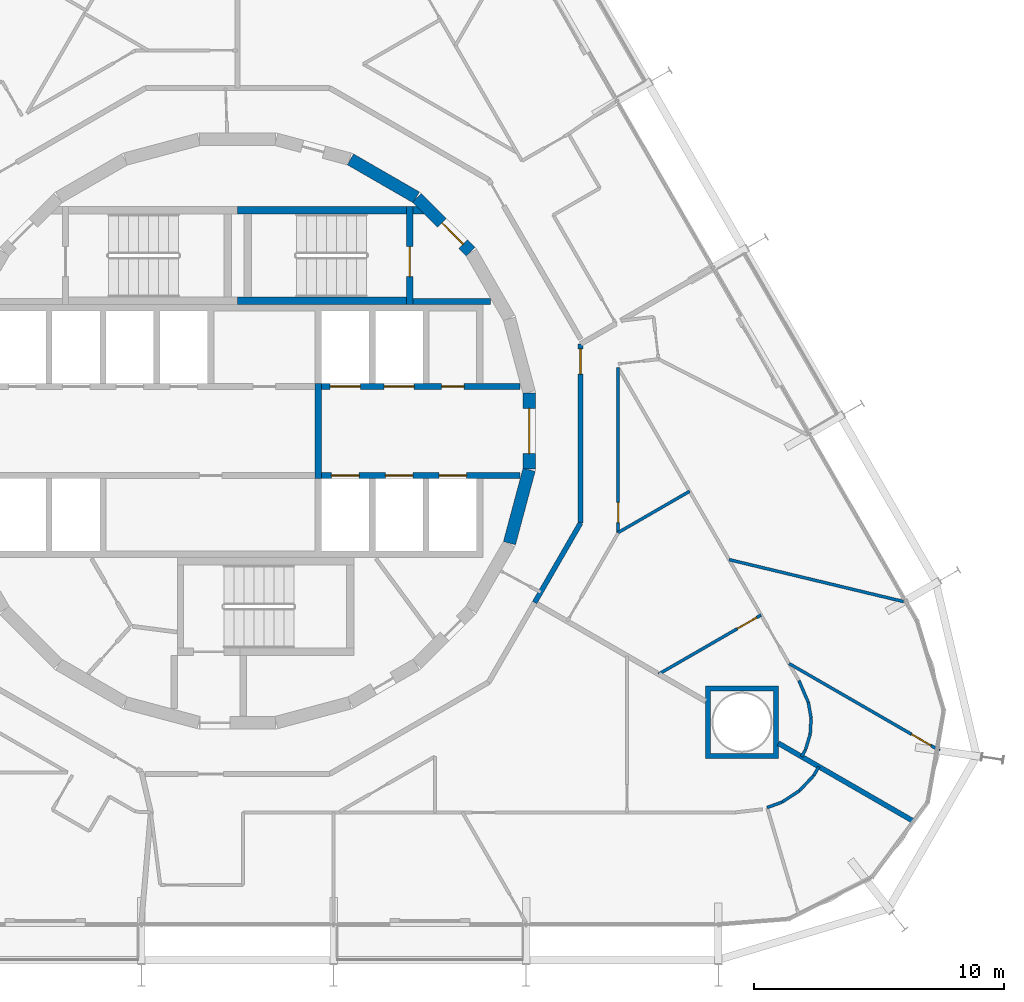
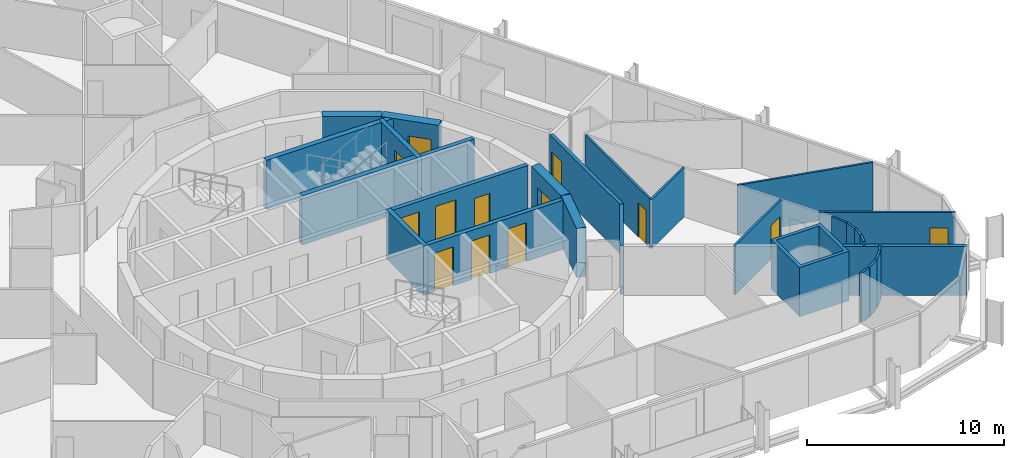
# One storey, part 16 of 20: 30 walls, 13 doors, 13 openings.
"""IFC4 building model written with IfcOpenShell, lengths in metres."""

import ifcopenshell
import ifcopenshell.guid

model = None  # the IFC model being written
_history = None  # IfcOwnerHistory: only IFC2X3 demands one
_inside = {}  # id of a spatial element -> (the spatial element, [elements in it])
_under = {}  # id of a project, library or spatial element -> (it, [spatial elements below it])
_declared = {}  # id of a project -> (the project, [libraries it declares])
_typed = {}  # id of a type object -> (the type object, [elements of that type])
_made_of = {}  # id of a material, layer set ... -> (it, [elements and type objects made of it])


def new_model(schema):
    """Start an empty IFC model of exactly this schema.

    Asked for "IFC4X3", IfcOpenShell would pick the latest addendum, in which some entities
    have other attributes; the version numbers below select the first issue.
    IFC2X3 requires an IfcOwnerHistory on every rooted entity: one is made here for all.
    """
    global model, _history
    if schema == "IFC4X3":
        model = ifcopenshell.file(schema_version=(4, 3, 0, 0))
    else:
        model = ifcopenshell.file(schema=schema)
    _inside.clear()
    _under.clear()
    _declared.clear()
    _typed.clear()
    _made_of.clear()
    _history = None
    if model.schema == "IFC2X3":
        org = make("IfcOrganization", Name="unknown")
        user = make(
            "IfcPersonAndOrganization",
            ThePerson=make("IfcPerson", FamilyName="unknown"),
            TheOrganization=org,
        )
        app = make(
            "IfcApplication",
            ApplicationDeveloper=org,
            Version="unknown",
            ApplicationFullName="unknown",
            ApplicationIdentifier="unknown",
        )
        _history = make(
            "IfcOwnerHistory",
            OwningUser=user,
            OwningApplication=app,
            ChangeAction="ADDED",
            CreationDate=0,
        )
    return model


def make(cls, **values):
    """One entity of the class cls with the attributes given. An attribute that is None is left unset."""
    return model.create_entity(
        cls, **{name: value for name, value in values.items() if value is not None}
    )


def rooted(cls, **values):
    """An entity with a GlobalId (a new one), such as an element, a storey or a relation."""
    return make(cls, GlobalId=ifcopenshell.guid.new(), OwnerHistory=_history, **values)


def si_unit(unit_type, name, prefix=None):
    """IfcSIUnit, for example si_unit("LENGTHUNIT", "METRE", prefix="MILLI")."""
    return make("IfcSIUnit", UnitType=unit_type, Prefix=prefix, Name=name)


def assignment(units):
    """IfcUnitAssignment: the units of a project."""
    return None if units is None else make("IfcUnitAssignment", Units=units)


def point(xyz):
    """IfcCartesianPoint."""
    return None if xyz is None else make("IfcCartesianPoint", Coordinates=xyz)


def direction(xyz):
    """IfcDirection."""
    return None if xyz is None else make("IfcDirection", DirectionRatios=xyz)


def frame(location, z_axis=None, x_axis=None):
    """IfcAxis2Placement3D, a coordinate frame: its origin and axes. An axis left out is left unset."""
    return make(
        "IfcAxis2Placement3D",
        Location=point(location),
        Axis=direction(z_axis),
        RefDirection=direction(x_axis),
    )


def frame_2d(location, x_axis=None):
    """IfcAxis2Placement2D, a coordinate frame in the plane: its origin and x axis."""
    return make(
        "IfcAxis2Placement2D", Location=point(location), RefDirection=direction(x_axis)
    )


def origin():
    """The frame at (0, 0, 0) with its axes left unset."""
    return frame((0.0, 0.0, 0.0))


def place(relative_to, where):
    """IfcLocalPlacement: puts the frame where relative to a parent placement (None: the world)."""
    return make(
        "IfcLocalPlacement", PlacementRelTo=relative_to, RelativePlacement=where
    )


def context(
    kind, dimensions, precision=None, world=None, true_north=None, identifier=None
):
    """IfcGeometricRepresentationContext, for example the 3D "Model" context."""
    return make(
        "IfcGeometricRepresentationContext",
        ContextIdentifier=identifier,
        ContextType=kind,
        CoordinateSpaceDimension=dimensions,
        Precision=precision,
        WorldCoordinateSystem=world,
        TrueNorth=true_north,
    )


def subcontext(parent, identifier, kind, view, scale=None):
    """IfcGeometricRepresentationSubContext, for example "Body" below "Model"."""
    return make(
        "IfcGeometricRepresentationSubContext",
        ContextIdentifier=identifier,
        ContextType=kind,
        ParentContext=parent,
        TargetScale=scale,
        TargetView=view,
    )


def project(units=None, contexts=None):
    """IfcProject with its units and contexts."""
    return rooted(
        "IfcProject",
        Name="project",
        RepresentationContexts=contexts,
        UnitsInContext=assignment(units),
    )


def spatial(cls, under=None, at=None, **own):
    """A site, building, storey or space (cls), placed at a placement, below another one or the project."""
    s = rooted(cls, ObjectPlacement=at, **own)
    if under is not None:
        _under.setdefault(under.id(), (under, []))[1].append(s)
    return s


def polyline(points):
    """IfcPolyline through the points."""
    return make("IfcPolyline", Points=[point(p) for p in points])


def profile(cls, at=None, kind="AREA", **sizes):
    """A parametric profile (cls). Its sizes go by their IFC names, for example OverallWidth=200.0."""
    return make(cls, ProfileType=kind, Position=at, **sizes)


def rectangle(**sizes):
    """IfcRectangleProfileDef."""
    return profile("IfcRectangleProfileDef", **sizes)


def outline(outer, holes=None, kind="AREA"):
    """IfcArbitraryClosedProfileDef: a profile drawn as a closed curve; with holes, ...WithVoids."""
    if holes is None:
        return make("IfcArbitraryClosedProfileDef", ProfileType=kind, OuterCurve=outer)
    return make(
        "IfcArbitraryProfileDefWithVoids",
        ProfileType=kind,
        OuterCurve=outer,
        InnerCurves=holes,
    )


def extrude(swept, where, along, depth):
    """IfcExtrudedAreaSolid: the profile swept, set in the frame where, extruded along a direction by depth."""
    return make(
        "IfcExtrudedAreaSolid",
        SweptArea=swept,
        Position=where,
        ExtrudedDirection=direction(along),
        Depth=depth,
    )


def shape(context_of_items, identifier, shape_type, items):
    """IfcShapeRepresentation: the items that make up one representation, for example the "Body"."""
    return make(
        "IfcShapeRepresentation",
        ContextOfItems=context_of_items,
        RepresentationIdentifier=identifier,
        RepresentationType=shape_type,
        Items=items,
    )


def material(Name=None, Category=None):
    """IfcMaterial."""
    return make("IfcMaterial", Name=Name, Category=Category)


def layer(
    of_material, thickness, ventilated=None, Name=None, Category=None, Priority=None
):
    """IfcMaterialLayer: one layer of a wall or slab, of a material (None: an air gap)."""
    return make(
        "IfcMaterialLayer",
        Material=of_material,
        LayerThickness=thickness,
        IsVentilated=ventilated,
        Name=Name,
        Category=Category,
        Priority=Priority,
    )


def layer_set(layers, Name=None):
    """IfcMaterialLayerSet."""
    return make("IfcMaterialLayerSet", MaterialLayers=layers, LayerSetName=Name)


def made_of(thing, what):
    """Note that an element or type object is made of a material, layer set ...; save() writes the relation."""
    if what is not None:
        _made_of.setdefault(what.id(), (what, []))[1].append(thing)
    return thing


def type_object(cls, material=None, **own):
    """A type object (cls), such as IfcWallType, which elements share."""
    return made_of(rooted(cls, **own), material)


def element(
    cls,
    number,
    at=None,
    inside=None,
    cuts=None,
    type_object=None,
    material=None,
    context=None,
    identifier="Body",
    shape_type=None,
    held_by="IfcProductDefinitionShape",
    body=None,
    shapes=None,
    **own,
):
    """One element of the class cls, such as IfcWall. Its Tag is "e" and its number.

    at: its placement. inside: the storey or other place that contains it. cuts: it is an
    opening in that element (IfcRelVoidsElement). A single representation is given by context,
    identifier, shape_type and body (its items); several are given by shapes. held_by: the class
    of the entity that holds the representations. save() writes the other relations.
    """
    e = rooted(cls, Tag="e%d" % number, ObjectPlacement=at, **own)
    if body is not None:
        shapes = [shape(context, identifier, shape_type, body)]
    if shapes is not None:
        e.Representation = make(held_by, Representations=shapes)
    if inside is not None:
        _inside.setdefault(inside.id(), (inside, []))[1].append(e)
    if cuts is not None:
        rooted(
            "IfcRelVoidsElement", RelatingBuildingElement=cuts, RelatedOpeningElement=e
        )
    if type_object is not None:
        _typed.setdefault(type_object.id(), (type_object, []))[1].append(e)
    return made_of(e, material)


def fill(opening, filler):
    """IfcRelFillsElement: the door or window that sits in an opening."""
    return rooted(
        "IfcRelFillsElement",
        RelatingOpeningElement=opening,
        RelatedBuildingElement=filler,
    )


def aggregate(whole, parts):
    """IfcRelAggregates: a whole, such as a stair, and the parts it consists of."""
    return rooted("IfcRelAggregates", RelatingObject=whole, RelatedObjects=parts)


def save(model, path):
    """Write the relations noted so far, then the file.

    IfcRelAggregates (storeys below a building ...), IfcRelContainedInSpatialStructure (elements
    in a storey), IfcRelDefinesByType, IfcRelAssociatesMaterial and IfcRelDeclares: one each for
    every whole, place, type object, material and project.
    """
    for whole, parts in _under.values():
        aggregate(whole, parts)
    for where, things in _inside.values():
        rooted(
            "IfcRelContainedInSpatialStructure",
            RelatedElements=things,
            RelatingStructure=where,
        )
    for kind, things in _typed.values():
        rooted("IfcRelDefinesByType", RelatedObjects=things, RelatingType=kind)
    for what, things in _made_of.values():
        rooted("IfcRelAssociatesMaterial", RelatedObjects=things, RelatingMaterial=what)
    for by, libraries in _declared.values():
        rooted("IfcRelDeclares", RelatingContext=by, RelatedDefinitions=libraries)
    model.write(path)


model = new_model("IFC4")

# Units and contexts
model_context = context("Model", 3, precision=1e-05, world=origin(), true_north=direction((0.0, 1.0)))
body_context = subcontext(model_context, "Body", "Model", "MODEL_VIEW")
ifc_project = project(units=[si_unit("LENGTHUNIT", "METRE"), si_unit("AREAUNIT", "SQUARE_METRE"), si_unit("VOLUMEUNIT", "CUBIC_METRE"), si_unit("PLANEANGLEUNIT", "RADIAN"), si_unit("MASSUNIT", "GRAM", prefix="KILO")], contexts=[model_context])

# Site, building, storey
site_placement = place(None, origin())
site = spatial("IfcSite", under=ifc_project, at=site_placement, CompositionType="ELEMENT")
building_placement = place(site_placement, origin())
building = spatial("IfcBuilding", under=site, at=building_placement, Name="Spindle Arch Residences", CompositionType="ELEMENT")
storey_placement = place(building_placement, frame((0.0, 0.0, 66.39990234375)))
storey = spatial("IfcBuildingStorey", under=building, at=storey_placement, Name="L15", CompositionType="ELEMENT", Elevation=66.39990234375)

# Wall
ifc_material_1 = material(Name="Concrete C50/60", Category="concrete")
ifc_layer_1 = layer(ifc_material_1, 0.5)
ifc_layer_set_1 = layer_set([ifc_layer_1], Name="Core outline wall 500")
wall_type_1 = type_object("IfcWallType", Name="Core outline wall 500", PredefinedType="SHEAR", material=ifc_layer_set_1)
wall_1_placement = place(storey_placement, frame((10.858154296875, -4.479248046875, 0.0), z_axis=(0.0, 0.0, 1.0), x_axis=(0.258734743916, 0.965948410781, 0.0)))
element("IfcWall", 1, at=wall_1_placement, inside=storey, type_object=wall_type_1, Name="Core outline wall 5", PredefinedType="SHEAR", context=body_context, shape_type="SweptSolid", body=[
    extrude(rectangle(XDim=3.03271484375, YDim=0.5, at=frame_2d((1.516357421875, 0.0))), origin(), (0.0, 0.0, 1.0), 3.050048828125),
])

# Wall, opening, door
wall_2_placement = place(storey_placement, frame((11.647216796875, -1.516357421875, 0.0), z_axis=(0.0, 0.0, 1.0), x_axis=(0.0, 1.0, 0.0)))
wall_2 = element("IfcWall", 2, at=wall_2_placement, inside=storey, type_object=wall_type_1, Name="Core outline wall 6", PredefinedType="SHEAR", context=body_context, shape_type="SweptSolid", body=[
    extrude(rectangle(XDim=3.03271484375, YDim=0.5, at=frame_2d((1.516357421875, 0.0))), origin(), (0.0, 0.0, 1.0), 3.050048828125),
])
opening_1_placement = place(wall_2_placement, frame((0.6162109375, 0.0, 0.0)))
opening_1 = element("IfcOpeningElement", 3, at=opening_1_placement, cuts=wall_2, Name="Opening R1C0-FE01", PredefinedType="OPENING", context=body_context, shape_type="SweptSolid", body=[
    extrude(rectangle(XDim=1.800048828125, YDim=2.10009765625, at=frame_2d((0.89990234375, 1.050048828125))), frame((0.0, 0.260009765625, 0.0), z_axis=(0.0, -1.0, 0.0), x_axis=(1.0, 0.0, 0.0)), (0.0, 0.0, 1.0), 0.52001953125),
])
ifc_material_2 = material(Name="Steel, fire-resisting door", Category="steel")
door_type_1 = type_object("IfcDoorType", Name="Fire-lift lobby door 1800x2100", OperationType="DOUBLE_DOOR_SINGLE_SWING", PredefinedType="DOOR", material=ifc_material_2)
door_1_placement = place(opening_1_placement, origin())
door_1 = element("IfcDoor", 4, at=door_1_placement, inside=storey, type_object=door_type_1, Name="Fire-lift lobby door R1C0-FE01", OperationType="DOUBLE_DOOR_SINGLE_SWING", OverallHeight=2.10009765625, OverallWidth=1.800048828125, PredefinedType="DOOR", context=body_context, shape_type="SweptSolid", body=[
    extrude(rectangle(XDim=1.800048828125, YDim=2.10009765625, at=frame_2d((0.89990234375, 1.050048828125))), frame((0.0, 0.02490234375, 0.0), z_axis=(0.0, -1.0, 0.0), x_axis=(1.0, 0.0, 0.0)), (0.0, 0.0, 1.0), 0.050048828125),
])
fill(opening_1, door_1)

wall_3_placement = place(storey_placement, frame((9.30810546875, 7.163818359375, 0.0), z_axis=(0.0, 0.0, 1.0), x_axis=(-0.707106781187, 0.707106781187, 0.0)))
wall_3 = element("IfcWall", 5, at=wall_3_placement, inside=storey, type_object=wall_type_1, Name="Core outline wall 9", PredefinedType="SHEAR", context=body_context, shape_type="SweptSolid", body=[
    extrude(rectangle(XDim=3.032470703125, YDim=0.5, at=frame_2d((1.51611328125, 0.0))), origin(), (0.0, 0.0, 1.0), 3.050048828125),
])
opening_2_placement = place(wall_3_placement, frame((0.416259765625, 0.0, 0.0)))
opening_2 = element("IfcOpeningElement", 6, at=opening_2_placement, cuts=wall_3, Name="Opening R1C0-AD01", PredefinedType="OPENING", context=body_context, shape_type="SweptSolid", body=[
    extrude(rectangle(XDim=1.199951171875, YDim=2.10009765625, at=frame_2d((0.60009765625, 1.050048828125))), frame((0.0, 0.260009765625, 0.0), z_axis=(0.0, -1.0, 0.0), x_axis=(1.0, 0.0, 0.0)), (0.0, 0.0, 1.0), 0.52001953125),
])
ifc_material_3 = material(Name="Steel, fire-resisting door", Category="steel")
door_type_2 = type_object("IfcDoorType", Name="Stair airlock door 1200x2100", OperationType="SINGLE_SWING_LEFT", PredefinedType="DOOR", material=ifc_material_3)
door_2_placement = place(opening_2_placement, origin())
door_2 = element("IfcDoor", 7, at=door_2_placement, inside=storey, type_object=door_type_2, Name="Stair airlock door R1C0-AD01", OperationType="SINGLE_SWING_RIGHT", OverallHeight=2.10009765625, OverallWidth=1.199951171875, PredefinedType="DOOR", context=body_context, shape_type="SweptSolid", body=[
    extrude(rectangle(XDim=1.199951171875, YDim=2.10009765625, at=frame_2d((0.60009765625, 1.050048828125))), frame((0.0, 0.02490234375, 0.0), z_axis=(0.0, -1.0, 0.0), x_axis=(1.0, 0.0, 0.0)), (0.0, 0.0, 1.0), 0.050048828125),
])
fill(opening_2, door_2)

# Walls
wall_4_placement = place(storey_placement, frame((7.13671875, 9.32861328125, 0.0), z_axis=(0.0, 0.0, 1.0), x_axis=(-0.865975092491, 0.500087131594, 0.0)))
element("IfcWall", 8, at=wall_4_placement, inside=storey, type_object=wall_type_1, Name="Core outline wall 10", PredefinedType="SHEAR", context=body_context, shape_type="SweptSolid", body=[
    extrude(rectangle(XDim=3.03271484375, YDim=0.5, at=frame_2d((1.516357421875, 0.0))), origin(), (0.0, 0.0, 1.0), 3.050048828125),
])
ifc_material_4 = material(Name="Calcium silicate block, plastered")
ifc_layer_2 = layer(ifc_material_4, 0.199951171875)
ifc_layer_set_2 = layer_set([ifc_layer_2], Name="Corridor wall 200")
wall_type_2 = type_object("IfcWallType", Name="Corridor wall 200", PredefinedType="STANDARD", material=ifc_layer_set_2)
wall_5_placement = place(storey_placement, frame((11.864501953125, -6.85009765625, 0.0), z_axis=(0.0, 0.0, 1.0), x_axis=(0.499987270552, 0.86603275301, 0.0)))
element("IfcWall", 9, at=wall_5_placement, inside=storey, type_object=wall_type_2, Name="Corridor wall R1C0-W007", PredefinedType="STANDARD", context=body_context, shape_type="SweptSolid", body=[
    extrude(rectangle(XDim=3.6708984375, YDim=0.199951171875, at=frame_2d((1.83544921875, 0.0))), origin(), (0.0, 0.0, 1.0), 3.050048828125),
])

# Wall, opening, door
wall_6_placement = place(storey_placement, frame((13.699951171875, -3.6708984375, 0.0), z_axis=(0.0, 0.0, 1.0), x_axis=(0.0, 1.0, 0.0)))
wall_6 = element("IfcWall", 10, at=wall_6_placement, inside=storey, type_object=wall_type_2, Name="Corridor wall R1C0-W008", PredefinedType="STANDARD", context=body_context, shape_type="SweptSolid", body=[
    extrude(rectangle(XDim=7.146484375, YDim=0.199951171875, at=frame_2d((3.5732421875, 0.0))), origin(), (0.0, 0.0, 1.0), 3.050048828125),
])
opening_3_placement = place(wall_6_placement, frame((5.946533203125, 0.0, 0.0)))
opening_3 = element("IfcOpeningElement", 11, at=opening_3_placement, cuts=wall_6, Name="Opening R1C0-FD06", PredefinedType="OPENING", context=body_context, shape_type="SweptSolid", body=[
    extrude(rectangle(XDim=1.0, YDim=2.10009765625, at=frame_2d((0.5, 1.050048828125))), frame((0.0, 0.10986328125, 0.0), z_axis=(0.0, -1.0, 0.0), x_axis=(1.0, 0.0, 0.0)), (0.0, 0.0, 1.0), 0.219970703125),
])
ifc_material_5 = material(Name="Timber, fire-resisting door set", Category="wood")
door_type_3 = type_object("IfcDoorType", Name="Flat entrance door 1000x2100", OperationType="NOTDEFINED", PredefinedType="DOOR", material=ifc_material_5)
door_3_placement = place(opening_3_placement, origin())
door_3 = element("IfcDoor", 12, at=door_3_placement, inside=storey, type_object=door_type_3, Name="Flat entrance door R1C0-FD06", OperationType="SINGLE_SWING_LEFT", OverallHeight=2.10009765625, OverallWidth=1.0, PredefinedType="DOOR", context=body_context, shape_type="SweptSolid", body=[
    extrude(rectangle(XDim=1.0, YDim=2.10009765625, at=frame_2d((0.5, 1.050048828125))), frame((0.0, 0.02490234375, 0.0), z_axis=(0.0, -1.0, 0.0), x_axis=(1.0, 0.0, 0.0)), (0.0, 0.0, 1.0), 0.050048828125),
])
fill(opening_3, door_3)

# Wall, openings, doors
ifc_material_6 = material(Name="Concrete C40/50", Category="concrete")
ifc_layer_3 = layer(ifc_material_6, 0.25)
ifc_layer_set_3 = layer_set([ifc_layer_3], Name="Fire-lift lobby wall 250")
wall_type_3 = type_object("IfcWallType", Name="Fire-lift lobby wall 250", PredefinedType="SHEAR", material=ifc_layer_set_3)
wall_7_placement = place(storey_placement, frame((3.35009765625, 1.77490234375, 0.0), z_axis=(0.0, 0.0, 1.0), x_axis=(1.0, 0.0, 0.0)))
wall_7 = element("IfcWall", 13, at=wall_7_placement, inside=storey, type_object=wall_type_3, Name="Lift shaft front wall NE", PredefinedType="SHEAR", context=body_context, shape_type="SweptSolid", body=[
    extrude(rectangle(XDim=7.929931640625, YDim=0.25, at=frame_2d((3.96484375, 0.0))), origin(), (0.0, 0.0, 1.0), 3.050048828125),
])
opening_4_placement = place(wall_7_placement, frame((0.35009765625, 0.0, 0.0)))
opening_4 = element("IfcOpeningElement", 14, at=opening_4_placement, cuts=wall_7, Name="Opening R1C0-SLD01", PredefinedType="OPENING", context=body_context, shape_type="SweptSolid", body=[
    extrude(rectangle(XDim=1.199951171875, YDim=2.39990234375, at=frame_2d((0.60009765625, 1.199951171875))), frame((0.0, 0.135009765625, 0.0), z_axis=(0.0, -1.0, 0.0), x_axis=(1.0, 0.0, 0.0)), (0.0, 0.0, 1.0), 0.27001953125),
])
opening_5_placement = place(wall_7_placement, frame((2.5, 0.0, 0.0)))
opening_5 = element("IfcOpeningElement", 15, at=opening_5_placement, cuts=wall_7, Name="Opening R1C0-SLD02", PredefinedType="OPENING", context=body_context, shape_type="SweptSolid", body=[
    extrude(rectangle(XDim=1.199951171875, YDim=2.39990234375, at=frame_2d((0.60009765625, 1.199951171875))), frame((0.0, 0.135009765625, 0.0), z_axis=(0.0, -1.0, 0.0), x_axis=(1.0, 0.0, 0.0)), (0.0, 0.0, 1.0), 0.27001953125),
])
opening_6_placement = place(wall_7_placement, frame((4.800048828125, 0.0, 0.0)))
opening_6 = element("IfcOpeningElement", 16, at=opening_6_placement, cuts=wall_7, Name="Opening R1C0-WD02", PredefinedType="OPENING", context=body_context, shape_type="SweptSolid", body=[
    extrude(rectangle(XDim=0.89990234375, YDim=2.10009765625, at=frame_2d((0.449951171875, 1.050048828125))), frame((0.0, 0.135009765625, 0.0), z_axis=(0.0, -1.0, 0.0), x_axis=(1.0, 0.0, 0.0)), (0.0, 0.0, 1.0), 0.27001953125),
])
ifc_material_7 = material(Name="Steel, fire-resisting landing door", Category="steel")
door_type_4 = type_object("IfcDoorType", Name="Service lift landing door 1200x2400", OperationType="DOUBLE_DOOR_SLIDING", PredefinedType="DOOR", material=ifc_material_7)
door_4_placement = place(opening_4_placement, origin())
door_4 = element("IfcDoor", 17, at=door_4_placement, inside=storey, type_object=door_type_4, Name="Service lift landing door R1C0-SLD01", OperationType="DOUBLE_DOOR_SLIDING", OverallHeight=2.39990234375, OverallWidth=1.199951171875, PredefinedType="DOOR", context=body_context, shape_type="SweptSolid", body=[
    extrude(rectangle(XDim=1.199951171875, YDim=2.39990234375, at=frame_2d((0.60009765625, 1.199951171875))), frame((0.0, 0.02490234375, 0.0), z_axis=(0.0, -1.0, 0.0), x_axis=(1.0, 0.0, 0.0)), (0.0, 0.0, 1.0), 0.050048828125),
])
fill(opening_4, door_4)
door_5_placement = place(opening_5_placement, origin())
door_5 = element("IfcDoor", 18, at=door_5_placement, inside=storey, type_object=door_type_4, Name="Service lift landing door R1C0-SLD02", OperationType="DOUBLE_DOOR_SLIDING", OverallHeight=2.39990234375, OverallWidth=1.199951171875, PredefinedType="DOOR", context=body_context, shape_type="SweptSolid", body=[
    extrude(rectangle(XDim=1.199951171875, YDim=2.39990234375, at=frame_2d((0.60009765625, 1.199951171875))), frame((0.0, 0.02490234375, 0.0), z_axis=(0.0, -1.0, 0.0), x_axis=(1.0, 0.0, 0.0)), (0.0, 0.0, 1.0), 0.050048828125),
])
fill(opening_5, door_5)
ifc_material_8 = material(Name="Steel, fire-resisting door", Category="steel")
door_type_5 = type_object("IfcDoorType", Name="Service room door 900x2100", OperationType="SINGLE_SWING_LEFT", PredefinedType="DOOR", material=ifc_material_8)
door_6_placement = place(opening_6_placement, origin())
door_6 = element("IfcDoor", 19, at=door_6_placement, inside=storey, type_object=door_type_5, Name="Service room door R1C0-WD02", OperationType="SINGLE_SWING_LEFT", OverallHeight=2.10009765625, OverallWidth=0.89990234375, PredefinedType="DOOR", context=body_context, shape_type="SweptSolid", body=[
    extrude(rectangle(XDim=0.89990234375, YDim=2.10009765625, at=frame_2d((0.449951171875, 1.050048828125))), frame((0.0, 0.02490234375, 0.0), z_axis=(0.0, -1.0, 0.0), x_axis=(1.0, 0.0, 0.0)), (0.0, 0.0, 1.0), 0.050048828125),
])
fill(opening_6, door_6)

# Wall
wall_8_placement = place(storey_placement, frame((3.22509765625, -1.89990234375, 0.0), z_axis=(0.0, 0.0, 1.0), x_axis=(0.0, 1.0, 0.0)))
element("IfcWall", 20, at=wall_8_placement, inside=storey, type_object=wall_type_3, Name="Fire-fighting lobby partition", PredefinedType="SHEAR", context=body_context, shape_type="SweptSolid", body=[
    extrude(rectangle(XDim=3.7998046875, YDim=0.25, at=frame_2d((1.89990234375, 0.0))), origin(), (0.0, 0.0, 1.0), 3.050048828125),
])

# Wall, openings, doors
ifc_material_9 = material(Name="Concrete C50/60", Category="concrete")
ifc_layer_4 = layer(ifc_material_9, 0.25)
ifc_layer_set_4 = layer_set([ifc_layer_4], Name="Fire-lift shaft wall 250")
wall_type_4 = type_object("IfcWallType", Name="Fire-lift shaft wall 250", PredefinedType="SHEAR", material=ifc_layer_set_4)
wall_9_placement = place(storey_placement, frame((3.35009765625, -1.77490234375, 0.0), z_axis=(0.0, 0.0, 1.0), x_axis=(1.0, 0.0, 0.0)))
wall_9 = element("IfcWall", 21, at=wall_9_placement, inside=storey, type_object=wall_type_4, Name="Lift shaft front wall SE", PredefinedType="SHEAR", context=body_context, shape_type="SweptSolid", body=[
    extrude(rectangle(XDim=7.929931640625, YDim=0.25, at=frame_2d((3.96484375, 0.0))), origin(), (0.0, 0.0, 1.0), 3.050048828125),
])
opening_7_placement = place(wall_9_placement, frame((0.39990234375, 0.0, 0.0)))
opening_7 = element("IfcOpeningElement", 22, at=opening_7_placement, cuts=wall_9, Name="Opening R1C0-FLD01", PredefinedType="OPENING", context=body_context, shape_type="SweptSolid", body=[
    extrude(rectangle(XDim=1.10009765625, YDim=2.39990234375, at=frame_2d((0.550048828125, 1.199951171875))), frame((0.0, 0.135009765625, 0.0), z_axis=(0.0, -1.0, 0.0), x_axis=(1.0, 0.0, 0.0)), (0.0, 0.0, 1.0), 0.27001953125),
])
opening_8_placement = place(wall_9_placement, frame((2.550048828125, 0.0, 0.0)))
opening_8 = element("IfcOpeningElement", 23, at=opening_8_placement, cuts=wall_9, Name="Opening R1C0-FLD02", PredefinedType="OPENING", context=body_context, shape_type="SweptSolid", body=[
    extrude(rectangle(XDim=1.10009765625, YDim=2.39990234375, at=frame_2d((0.550048828125, 1.199951171875))), frame((0.0, 0.135009765625, 0.0), z_axis=(0.0, -1.0, 0.0), x_axis=(1.0, 0.0, 0.0)), (0.0, 0.0, 1.0), 0.27001953125),
])
opening_9_placement = place(wall_9_placement, frame((4.699951171875, 0.0, 0.0)))
opening_9 = element("IfcOpeningElement", 24, at=opening_9_placement, cuts=wall_9, Name="Opening R1C0-FLD03", PredefinedType="OPENING", context=body_context, shape_type="SweptSolid", body=[
    extrude(rectangle(XDim=1.10009765625, YDim=2.39990234375, at=frame_2d((0.550048828125, 1.199951171875))), frame((0.0, 0.135009765625, 0.0), z_axis=(0.0, -1.0, 0.0), x_axis=(1.0, 0.0, 0.0)), (0.0, 0.0, 1.0), 0.27001953125),
])
ifc_material_10 = material(Name="Steel, fire-resisting landing door", Category="steel")
door_type_6 = type_object("IfcDoorType", Name="Fire-fighting lift landing door 1100x2400", OperationType="DOUBLE_DOOR_SLIDING", PredefinedType="DOOR", material=ifc_material_10)
door_7_placement = place(opening_7_placement, origin())
door_7 = element("IfcDoor", 25, at=door_7_placement, inside=storey, type_object=door_type_6, Name="Fire-fighting lift landing door R1C0-FLD01", OperationType="DOUBLE_DOOR_SLIDING", OverallHeight=2.39990234375, OverallWidth=1.10009765625, PredefinedType="DOOR", context=body_context, shape_type="SweptSolid", body=[
    extrude(rectangle(XDim=1.10009765625, YDim=2.39990234375, at=frame_2d((0.550048828125, 1.199951171875))), frame((0.0, 0.02490234375, 0.0), z_axis=(0.0, -1.0, 0.0), x_axis=(1.0, 0.0, 0.0)), (0.0, 0.0, 1.0), 0.050048828125),
])
fill(opening_7, door_7)
door_8_placement = place(opening_8_placement, origin())
door_8 = element("IfcDoor", 26, at=door_8_placement, inside=storey, type_object=door_type_6, Name="Fire-fighting lift landing door R1C0-FLD02", OperationType="DOUBLE_DOOR_SLIDING", OverallHeight=2.39990234375, OverallWidth=1.10009765625, PredefinedType="DOOR", context=body_context, shape_type="SweptSolid", body=[
    extrude(rectangle(XDim=1.10009765625, YDim=2.39990234375, at=frame_2d((0.550048828125, 1.199951171875))), frame((0.0, 0.02490234375, 0.0), z_axis=(0.0, -1.0, 0.0), x_axis=(1.0, 0.0, 0.0)), (0.0, 0.0, 1.0), 0.050048828125),
])
fill(opening_8, door_8)
door_9_placement = place(opening_9_placement, origin())
door_9 = element("IfcDoor", 27, at=door_9_placement, inside=storey, type_object=door_type_6, Name="Fire-fighting lift landing door R1C0-FLD03", OperationType="DOUBLE_DOOR_SLIDING", OverallHeight=2.39990234375, OverallWidth=1.10009765625, PredefinedType="DOOR", context=body_context, shape_type="SweptSolid", body=[
    extrude(rectangle(XDim=1.10009765625, YDim=2.39990234375, at=frame_2d((0.550048828125, 1.199951171875))), frame((0.0, 0.02490234375, 0.0), z_axis=(0.0, -1.0, 0.0), x_axis=(1.0, 0.0, 0.0)), (0.0, 0.0, 1.0), 0.050048828125),
])
fill(opening_9, door_9)

# Walls
ifc_material_11 = material(Name="Plasterboard on steel studs", Category="steel")
ifc_layer_5 = layer(ifc_material_11, 0.1201171875)
ifc_layer_set_5 = layer_set([ifc_layer_5], Name="Flat partition 120")
wall_type_5 = type_object("IfcWallType", Name="Flat partition 120", PredefinedType="PARTITIONING", material=ifc_layer_set_5)
wall_10_placement = place(storey_placement, frame((21.148681640625, -15.03759765625, 0.0), z_axis=(0.0, 0.0, 1.0), x_axis=(0.939726102094, 0.341928140173, 0.0)))
element("IfcWall", 28, at=wall_10_placement, inside=storey, type_object=wall_type_5, Name="Flat partition R1C0-W108", PredefinedType="PARTITIONING", context=body_context, shape_type="SweptSolid", body=[
    extrude(rectangle(XDim=0.635498046875, YDim=0.1201171875, at=frame_2d((0.31787109375, 0.0))), origin(), (0.0, 0.0, 1.0), 3.050048828125),
])
wall_11_placement = place(storey_placement, frame((21.745849609375, -14.8203125, 0.0), z_axis=(0.0, 0.0, 1.0), x_axis=(0.835477570013, 0.549524549046, 0.0)))
element("IfcWall", 29, at=wall_11_placement, inside=storey, type_object=wall_type_5, Name="Flat partition R1C0-W109", PredefinedType="PARTITIONING", context=body_context, shape_type="SweptSolid", body=[
    extrude(rectangle(XDim=0.8291015625, YDim=0.1201171875, at=frame_2d((0.41455078125, 0.0))), origin(), (0.0, 0.0, 1.0), 3.050048828125),
])
wall_12_placement = place(storey_placement, frame((22.4384765625, -14.36474609375, 0.0), z_axis=(0.0, 0.0, 1.0), x_axis=(0.686182189596, 0.727429723535, 0.0)))
element("IfcWall", 30, at=wall_12_placement, inside=storey, type_object=wall_type_5, Name="Flat partition R1C0-W110", PredefinedType="PARTITIONING", context=body_context, shape_type="SweptSolid", body=[
    extrude(rectangle(XDim=0.82861328125, YDim=0.1201171875, at=frame_2d((0.414306640625, 0.0))), origin(), (0.0, 0.0, 1.0), 3.050048828125),
])
wall_13_placement = place(storey_placement, frame((23.007080078125, -13.761962890625, 0.0), z_axis=(0.0, 0.0, 1.0), x_axis=(0.499875358948, 0.866097353371, 0.0)))
element("IfcWall", 31, at=wall_13_placement, inside=storey, type_object=wall_type_5, Name="Flat partition R1C0-W111", PredefinedType="PARTITIONING", context=body_context, shape_type="SweptSolid", body=[
    extrude(rectangle(XDim=0.41455078125, YDim=0.1201171875, at=frame_2d((0.207275390625, 0.0))), origin(), (0.0, 0.0, 1.0), 3.050048828125),
])

# Wall, opening, door
wall_14_placement = place(storey_placement, frame((15.199951171875, -4.054931640625, 0.0), z_axis=(0.0, 0.0, 1.0), x_axis=(0.0, 1.0, 0.0)))
wall_14 = element("IfcWall", 32, at=wall_14_placement, inside=storey, type_object=wall_type_5, Name="Flat partition R1C0-W116", PredefinedType="PARTITIONING", context=body_context, shape_type="SweptSolid", body=[
    extrude(rectangle(XDim=6.587646484375, YDim=0.1201171875, at=frame_2d((3.2939453125, 0.0))), origin(), (0.0, 0.0, 1.0), 3.050048828125),
])
opening_10_placement = place(wall_14_placement, frame((0.39990234375, 0.0, 0.0)))
opening_10 = element("IfcOpeningElement", 33, at=opening_10_placement, cuts=wall_14, Name="Opening R1C0-BD07", PredefinedType="OPENING", context=body_context, shape_type="SweptSolid", body=[
    extrude(rectangle(XDim=0.800048828125, YDim=2.10009765625, at=frame_2d((0.39990234375, 1.050048828125))), frame((0.0, 0.070068359375, 0.0), z_axis=(0.0, -1.0, 0.0), x_axis=(1.0, 0.0, 0.0)), (0.0, 0.0, 1.0), 0.14013671875),
])
ifc_material_12 = material(Name="Timber door set", Category="wood")
door_type_7 = type_object("IfcDoorType", Name="Bathroom door 800x2100", OperationType="NOTDEFINED", PredefinedType="DOOR", material=ifc_material_12)
door_10_placement = place(opening_10_placement, origin())
door_10 = element("IfcDoor", 34, at=door_10_placement, inside=storey, type_object=door_type_7, Name="Bathroom door R1C0-BD07", OperationType="SINGLE_SWING_LEFT", OverallHeight=2.10009765625, OverallWidth=0.800048828125, PredefinedType="DOOR", context=body_context, shape_type="SweptSolid", body=[
    extrude(rectangle(XDim=0.800048828125, YDim=2.10009765625, at=frame_2d((0.39990234375, 1.050048828125))), frame((0.0, 0.02490234375, 0.0), z_axis=(0.0, -1.0, 0.0), x_axis=(1.0, 0.0, 0.0)), (0.0, 0.0, 1.0), 0.050048828125),
])
fill(opening_10, door_10)

# Walls
wall_15_placement = place(storey_placement, frame((22.4169921875, -9.967529296875, 0.0), z_axis=(0.0, 0.0, 1.0), x_axis=(0.395971779074, -0.918262680379, 0.0)))
element("IfcWall", 35, at=wall_15_placement, inside=storey, type_object=wall_type_5, Name="Flat partition R1C0-W119", PredefinedType="PARTITIONING", context=body_context, shape_type="SweptSolid", body=[
    extrude(rectangle(XDim=0.947021484375, YDim=0.1201171875, at=frame_2d((0.4736328125, 0.0))), origin(), (0.0, 0.0, 1.0), 3.050048828125),
])
wall_16_placement = place(storey_placement, frame((22.7919921875, -10.837158203125, 0.0), z_axis=(0.0, 0.0, 1.0), x_axis=(0.17382873157, -0.984775899421, 0.0)))
element("IfcWall", 36, at=wall_16_placement, inside=storey, type_object=wall_type_5, Name="Flat partition R1C0-W120", PredefinedType="PARTITIONING", context=body_context, shape_type="SweptSolid", body=[
    extrude(rectangle(XDim=0.641845703125, YDim=0.1201171875, at=frame_2d((0.32080078125, 0.0))), origin(), (0.0, 0.0, 1.0), 3.050048828125),
])
wall_17_placement = place(storey_placement, frame((22.903564453125, -11.46923828125, 0.0), z_axis=(0.0, 0.0, 1.0), x_axis=(-0.05820906079, -0.998304415117, 0.0)))
element("IfcWall", 37, at=wall_17_placement, inside=storey, type_object=wall_type_5, Name="Flat partition R1C0-W121", PredefinedType="PARTITIONING", context=body_context, shape_type="SweptSolid", body=[
    extrude(rectangle(XDim=0.6416015625, YDim=0.1201171875, at=frame_2d((0.32080078125, 0.0))), origin(), (0.0, 0.0, 1.0), 3.050048828125),
])
wall_18_placement = place(storey_placement, frame((22.8662109375, -12.10986328125, 0.0), z_axis=(0.0, 0.0, 1.0), x_axis=(-0.286754684479, -0.958004045362, 0.0)))
element("IfcWall", 38, at=wall_18_placement, inside=storey, type_object=wall_type_5, Name="Flat partition R1C0-W122", PredefinedType="PARTITIONING", context=body_context, shape_type="SweptSolid", body=[
    extrude(rectangle(XDim=0.641845703125, YDim=0.1201171875, at=frame_2d((0.32080078125, 0.0))), origin(), (0.0, 0.0, 1.0), 3.050048828125),
])
wall_19_placement = place(storey_placement, frame((22.68212890625, -12.724853515625, 0.0), z_axis=(0.0, 0.0, 1.0), x_axis=(-0.500226934229, -0.865894343596, 0.0)))
element("IfcWall", 39, at=wall_19_placement, inside=storey, type_object=wall_type_5, Name="Flat partition R1C0-W123", PredefinedType="PARTITIONING", context=body_context, shape_type="SweptSolid", body=[
    extrude(rectangle(XDim=0.321044921875, YDim=0.1201171875, at=frame_2d((0.16064453125, 0.0))), origin(), (0.0, 0.0, 1.0), 3.050048828125),
])

# Wall, opening, door
wall_20_placement = place(storey_placement, frame((28.037109375, -12.75927734375, 0.0), z_axis=(0.0, 0.0, 1.0), x_axis=(-0.866009909538, 0.500026835863, 0.0)))
wall_20 = element("IfcWall", 40, at=wall_20_placement, inside=storey, type_object=wall_type_5, Name="Flat partition R1C0-W124", PredefinedType="PARTITIONING", context=body_context, shape_type="SweptSolid", body=[
    extrude(rectangle(XDim=6.94287109375, YDim=0.1201171875, at=frame_2d((3.471435546875, 0.0))), origin(), (0.0, 0.0, 1.0), 3.050048828125),
])
opening_11_placement = place(wall_20_placement, frame((0.39990234375, 0.0, 0.0)))
opening_11 = element("IfcOpeningElement", 41, at=opening_11_placement, cuts=wall_20, Name="Opening R1C0-ID34", PredefinedType="OPENING", context=body_context, shape_type="SweptSolid", body=[
    extrude(rectangle(XDim=0.89990234375, YDim=2.10009765625, at=frame_2d((0.449951171875, 1.050048828125))), frame((0.0, 0.070068359375, 0.0), z_axis=(0.0, -1.0, 0.0), x_axis=(1.0, 0.0, 0.0)), (0.0, 0.0, 1.0), 0.14013671875),
])
ifc_material_13 = material(Name="Timber door set", Category="wood")
door_type_8 = type_object("IfcDoorType", Name="Room door 900x2100", OperationType="NOTDEFINED", PredefinedType="DOOR", material=ifc_material_13)
door_11_placement = place(opening_11_placement, origin())
door_11 = element("IfcDoor", 42, at=door_11_placement, inside=storey, type_object=door_type_8, Name="Room door R1C0-ID34", OperationType="SINGLE_SWING_LEFT", OverallHeight=2.10009765625, OverallWidth=0.89990234375, PredefinedType="DOOR", context=body_context, shape_type="SweptSolid", body=[
    extrude(rectangle(XDim=0.89990234375, YDim=2.10009765625, at=frame_2d((0.449951171875, 1.050048828125))), frame((0.0, 0.02490234375, 0.0), z_axis=(0.0, -1.0, 0.0), x_axis=(1.0, 0.0, 0.0)), (0.0, 0.0, 1.0), 0.050048828125),
])
fill(opening_11, door_11)

wall_21_placement = place(storey_placement, frame((20.905029296875, -7.3486328125, 0.0), z_axis=(0.0, 0.0, 1.0), x_axis=(-0.866032292145, -0.49998806882, 0.0)))
wall_21 = element("IfcWall", 43, at=wall_21_placement, inside=storey, type_object=wall_type_5, Name="Flat partition R1C0-W125", PredefinedType="PARTITIONING", context=body_context, shape_type="SweptSolid", body=[
    extrude(rectangle(XDim=4.720703125, YDim=0.1201171875, at=frame_2d((2.3603515625, 0.0))), origin(), (0.0, 0.0, 1.0), 3.050048828125),
])
opening_12_placement = place(wall_21_placement, frame((0.199951171875, 0.0, 0.0)))
opening_12 = element("IfcOpeningElement", 44, at=opening_12_placement, cuts=wall_21, Name="Opening R1C0-ID32", PredefinedType="OPENING", context=body_context, shape_type="SweptSolid", body=[
    extrude(rectangle(XDim=0.89990234375, YDim=2.10009765625, at=frame_2d((0.449951171875, 1.050048828125))), frame((0.0, 0.070068359375, 0.0), z_axis=(0.0, -1.0, 0.0), x_axis=(1.0, 0.0, 0.0)), (0.0, 0.0, 1.0), 0.14013671875),
])
door_12_placement = place(opening_12_placement, origin())
door_12 = element("IfcDoor", 45, at=door_12_placement, inside=storey, type_object=door_type_8, Name="Room door R1C0-ID32", OperationType="SINGLE_SWING_LEFT", OverallHeight=2.10009765625, OverallWidth=0.89990234375, PredefinedType="DOOR", context=body_context, shape_type="SweptSolid", body=[
    extrude(rectangle(XDim=0.89990234375, YDim=2.10009765625, at=frame_2d((0.449951171875, 1.050048828125))), frame((0.0, 0.02490234375, 0.0), z_axis=(0.0, -1.0, 0.0), x_axis=(1.0, 0.0, 0.0)), (0.0, 0.0, 1.0), 0.050048828125),
])
fill(opening_12, door_12)

# Walls
wall_22_placement = place(storey_placement, frame((18.052490234375, -2.407958984375, 0.0), z_axis=(0.0, 0.0, 1.0), x_axis=(-0.866017718408, -0.500013311227, 0.0)))
element("IfcWall", 46, at=wall_22_placement, inside=storey, type_object=wall_type_5, Name="Flat partition R1C0-W126", PredefinedType="PARTITIONING", context=body_context, shape_type="SweptSolid", body=[
    extrude(rectangle(XDim=3.2939453125, YDim=0.1201171875, at=frame_2d((1.64697265625, 0.0))), origin(), (0.0, 0.0, 1.0), 3.050048828125),
])
wall_23_placement = place(storey_placement, frame((26.60009765625, -6.81298828125, 0.0), z_axis=(0.0, 0.0, 1.0), x_axis=(-0.972307508101, 0.23370517686, 0.0)))
element("IfcWall", 47, at=wall_23_placement, inside=storey, type_object=wall_type_5, Name="Flat partition R1C0-W127", PredefinedType="PARTITIONING", context=body_context, shape_type="SweptSolid", body=[
    extrude(rectangle(XDim=7.17041015625, YDim=0.1201171875, at=frame_2d((3.585205078125, 0.0))), origin(), (0.0, 0.0, 1.0), 3.050048828125),
])
ifc_material_14 = material(Name="Calcium silicate block, plastered")
ifc_layer_6 = layer(ifc_material_14, 0.199951171875)
ifc_layer_set_6 = layer_set([ifc_layer_6], Name="Flat party wall 200")
wall_type_6 = type_object("IfcWallType", Name="Flat party wall 200", PredefinedType="STANDARD", material=ifc_layer_set_6)
wall_24_placement = place(storey_placement, frame((27.02490234375, -15.602783203125, 0.0), z_axis=(0.0, 0.0, 1.0), x_axis=(-0.866030653443, 0.499990907215, 0.0)))
element("IfcWall", 48, at=wall_24_placement, inside=storey, type_object=wall_type_6, Name="Flat party wall R1C0-W030", PredefinedType="STANDARD", context=body_context, shape_type="SweptSolid", body=[
    extrude(rectangle(XDim=6.271484375, YDim=0.199951171875, at=frame_2d((3.1357421875, 0.0))), origin(), (0.0, 0.0, 1.0), 3.050048828125),
])
ifc_material_15 = material(Name="Calcium silicate block, plastered")
ifc_layer_7 = layer(ifc_material_15, 0.199951171875)
ifc_layer_set_7 = layer_set([ifc_layer_7], Name="Mega-column casing wall 200")
wall_type_7 = type_object("IfcWallType", Name="Mega-column casing wall 200", PredefinedType="STANDARD", material=ifc_layer_set_7)
wall_25_placement = place(storey_placement, origin())
element("IfcWall", 49, at=wall_25_placement, inside=storey, type_object=wall_type_7, Name="Mega-column casing wall R1C0-WC03", PredefinedType="STANDARD", context=body_context, shape_type="SweptSolid", body=[
    extrude(outline(polyline([(21.593505859375, -10.179931640625), (21.593505859375, -13.079833984375), (18.693603515625, -13.079833984375), (18.693603515625, -10.179931640625), (21.593505859375, -10.179931640625)]), holes=[polyline([(18.8935546875, -12.8798828125), (21.3935546875, -12.8798828125), (21.3935546875, -10.3798828125), (18.8935546875, -10.3798828125), (18.8935546875, -12.8798828125)])]), origin(), (0.0, 0.0, 1.0), 3.050048828125),
])
ifc_material_16 = material(Name="Concrete C40/50", Category="concrete")
ifc_layer_8 = layer(ifc_material_16, 0.25)
ifc_layer_set_8 = layer_set([ifc_layer_8], Name="Stair airlock wall 250")
wall_type_8 = type_object("IfcWallType", Name="Stair airlock wall 250", PredefinedType="SHEAR", material=ifc_layer_set_8)
wall_26_placement = place(storey_placement, frame((7.0, 5.175048828125, 0.0), z_axis=(0.0, 0.0, 1.0), x_axis=(1.0, 0.0, 0.0)))
element("IfcWall", 50, at=wall_26_placement, inside=storey, type_object=wall_type_8, Name="Stair ST-1 airlock wall S", PredefinedType="SHEAR", context=body_context, shape_type="SweptSolid", body=[
    extrude(rectangle(XDim=3.10009765625, YDim=0.25, at=frame_2d((1.550048828125, 0.0))), origin(), (0.0, 0.0, 1.0), 3.050048828125),
])
ifc_material_17 = material(Name="Concrete C40/50", Category="concrete")
wall_type_9 = type_object("IfcWallType", Name="Stair airlock wall profile", PredefinedType="SHEAR", material=ifc_material_17)
wall_27_placement = place(storey_placement, origin())
element("IfcWall", 51, at=wall_27_placement, inside=storey, type_object=wall_type_9, Name="Stair ST-1 airlock wall N", PredefinedType="SHEAR", context=body_context, shape_type="SweptSolid", body=[
    extrude(outline(polyline([(7.4482421875, 8.669921875), (7.0, 8.669921875), (7.0, 8.969970703125), (7.148193359375, 8.969970703125), (7.4482421875, 8.669921875)])), origin(), (0.0, 0.0, 1.0), 3.050048828125),
])

# Wall, opening, door
ifc_material_18 = material(Name="Concrete C50/60", Category="concrete")
ifc_layer_9 = layer(ifc_material_18, 0.25)
ifc_layer_set_9 = layer_set([ifc_layer_9], Name="Stair enclosure wall 250")
wall_type_10 = type_object("IfcWallType", Name="Stair enclosure wall 250", PredefinedType="SHEAR", material=ifc_layer_set_9)
wall_28_placement = place(storey_placement, frame((6.875, 5.050048828125, 0.0), z_axis=(0.0, 0.0, 1.0), x_axis=(0.0, 1.0, 0.0)))
wall_28 = element("IfcWall", 52, at=wall_28_placement, inside=storey, type_object=wall_type_10, Name="Stair ST-1 door wall", PredefinedType="SHEAR", context=body_context, shape_type="SweptSolid", body=[
    extrude(rectangle(XDim=3.919921875, YDim=0.25, at=frame_2d((1.9599609375, 0.0))), origin(), (0.0, 0.0, 1.0), 3.050048828125),
])
opening_13_placement = place(wall_28_placement, frame((1.110107421875, 0.0, 0.0)))
opening_13 = element("IfcOpeningElement", 53, at=opening_13_placement, cuts=wall_28, Name="Opening R1C0-SD01", PredefinedType="OPENING", context=body_context, shape_type="SweptSolid", body=[
    extrude(rectangle(XDim=1.199951171875, YDim=2.10009765625, at=frame_2d((0.60009765625, 1.050048828125))), frame((0.0, 0.135009765625, 0.0), z_axis=(0.0, -1.0, 0.0), x_axis=(1.0, 0.0, 0.0)), (0.0, 0.0, 1.0), 0.27001953125),
])
ifc_material_19 = material(Name="Steel, fire-resisting door", Category="steel")
door_type_9 = type_object("IfcDoorType", Name="Stair door 1200x2100", OperationType="SINGLE_SWING_RIGHT", PredefinedType="DOOR", material=ifc_material_19)
door_13_placement = place(opening_13_placement, origin())
door_13 = element("IfcDoor", 54, at=door_13_placement, inside=storey, type_object=door_type_9, Name="Stair door R1C0-SD01", OperationType="SINGLE_SWING_LEFT", OverallHeight=2.10009765625, OverallWidth=1.199951171875, PredefinedType="DOOR", context=body_context, shape_type="SweptSolid", body=[
    extrude(rectangle(XDim=1.199951171875, YDim=2.10009765625, at=frame_2d((0.60009765625, 1.050048828125))), frame((0.0, 0.02490234375, 0.0), z_axis=(0.0, -1.0, 0.0), x_axis=(1.0, 0.0, 0.0)), (0.0, 0.0, 1.0), 0.050048828125),
])
fill(opening_13, door_13)

# Walls
ifc_material_20 = material(Name="Concrete C50/60", Category="concrete")
ifc_layer_10 = layer(ifc_material_20, 0.300048828125)
ifc_layer_set_10 = layer_set([ifc_layer_10], Name="Stair enclosure wall 300")
wall_type_11 = type_object("IfcWallType", Name="Stair enclosure wall 300", PredefinedType="SHEAR", material=ifc_layer_set_10)
for number, where, z_axis, x_axis, name in (
    (55, (0.0, 5.199951171875, 0.0), (0.0, 0.0, 1.0), (1.0, 0.0, 0.0), "Stair ST-1 enclosure wall S"),
    (56, (0.0, 8.820068359375, 0.0), (0.0, 0.0, 1.0), (1.0, 0.0, 0.0), "Stair ST-1 enclosure wall N"),
):
    element("IfcWall", number, at=place(storey_placement, frame(where, z_axis=z_axis, x_axis=x_axis)), inside=storey, type_object=wall_type_11, Name=name, PredefinedType="SHEAR", context=body_context, shape_type="SweptSolid", body=[
        extrude(rectangle(XDim=6.75, YDim=0.300048828125, at=frame_2d((3.375, 0.0))), origin(), (0.0, 0.0, 1.0), 3.050048828125),
    ])

save(model, "model.ifc")
